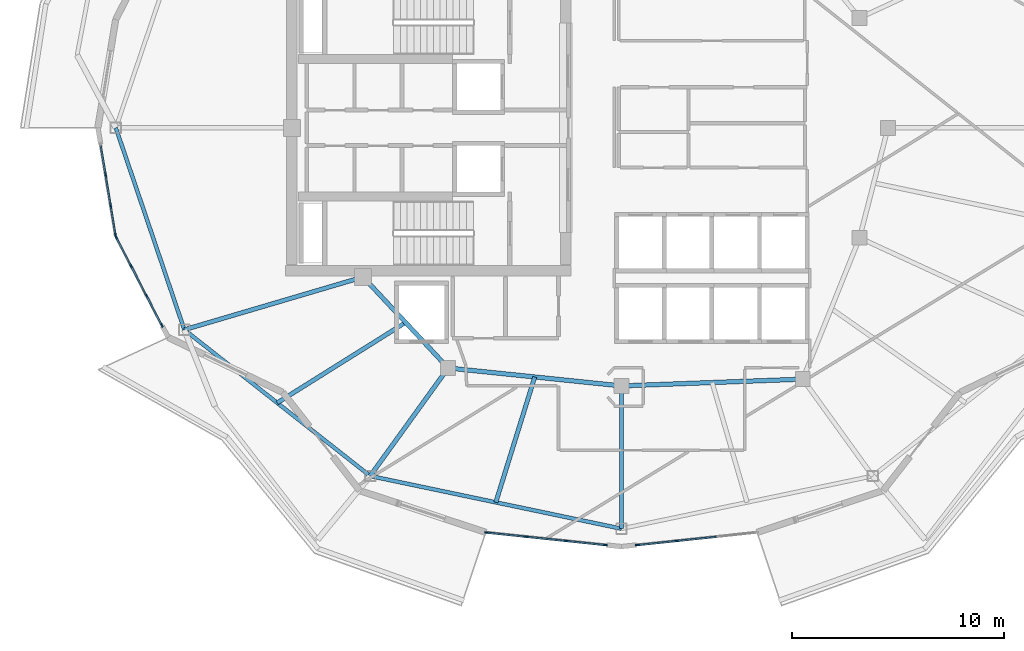
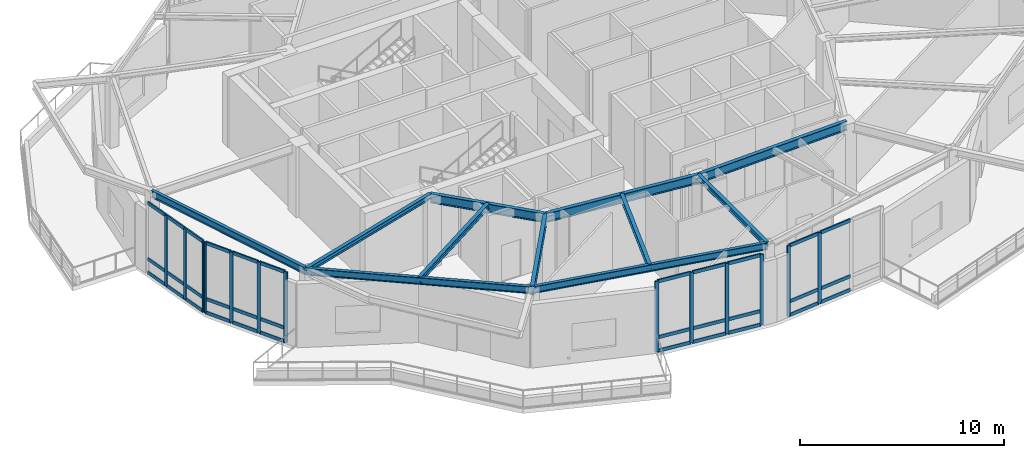
# One storey, part 2 of 15: 46 members, 11 beams, 4 elements without a shape of their own.
"""IFC4 building model written with IfcOpenShell, lengths in metres."""

from ifc_helpers import new_model, si_unit, direction, frame, origin, origin_2d, place, context, subcontext, project, spatial, rectangle, i_section, extrude, material, layer, layer_set, material_profile, profile_set, type_object, element, aggregate, save


model = new_model("IFC4")

# Units and contexts
model_context = context("Model", 3, precision=1e-05, world=origin(), true_north=direction((0.0, 1.0)))
body_context = subcontext(model_context, "Body", "Model", "MODEL_VIEW")
ifc_project = project(units=[si_unit("LENGTHUNIT", "METRE"), si_unit("AREAUNIT", "SQUARE_METRE"), si_unit("VOLUMEUNIT", "CUBIC_METRE"), si_unit("PLANEANGLEUNIT", "RADIAN"), si_unit("MASSUNIT", "GRAM", prefix="KILO")], contexts=[model_context])

# Site, building, storey
site_placement = place(None, origin())
site = spatial("IfcSite", under=ifc_project, at=site_placement, CompositionType="ELEMENT")
building_placement = place(site_placement, origin())
building = spatial("IfcBuilding", under=site, at=building_placement, Name="Kolvaren Gate Tower and Convention Centre", CompositionType="ELEMENT")
storey_placement = place(building_placement, frame((0.0, 0.0, 191.89990234375)))
storey = spatial("IfcBuildingStorey", under=building, at=storey_placement, Name="L50", CompositionType="ELEMENT", Elevation=191.89990234375)

# Curtain wall, members
ifc_material_1 = material(Name="Anodized Architectural Aluminium Alloy 6063-T6", Category="aluminium")
ifc_layer = layer(ifc_material_1, 0.199951171875)
ifc_layer_set = layer_set([ifc_layer], Name="Anodized Architectural Aluminium Alloy 6063-T6")
curtain_wall_type = type_object("IfcCurtainWallType", Name="CW-SKY-GLZ", PredefinedType="NOTDEFINED", material=ifc_layer_set)
curtain_wall_1_placement = place(storey_placement, origin())
curtain_wall_1 = element("IfcCurtainWall", 1, at=curtain_wall_1_placement, inside=storey, type_object=curtain_wall_type, Name="L50 Panoramic Structural Curtain Wall CW-12", PredefinedType="NOTDEFINED")
ifc_material_profile_1 = material_profile(ifc_material_1, rectangle(XDim=0.074951171875, YDim=0.199951171875, at=origin_2d()), Name="CW-MEM-MUL-200")
ifc_profile_set_1 = profile_set([ifc_material_profile_1], Name="Anodized Architectural Aluminium Alloy 6063-T6")
member_type_1 = type_object("IfcMemberType", Name="CW-MEM-MUL-200", PredefinedType="MULLION", material=ifc_profile_set_1)
member_1_placement = place(storey_placement, frame((5.740234375, 24.780029296875, 0.0), z_axis=(0.0, 0.0, 1.0), x_axis=(0.98672790277, 0.162382406357, 0.0)))
member_1 = element("IfcMember", 2, at=member_1_placement, type_object=member_type_1, Name="CW-05 mullion 2", PredefinedType="MULLION", context=body_context, shape_type="SweptSolid", body=[
    extrude(rectangle(XDim=0.074951171875, YDim=0.199951171875, at=origin_2d()), origin(), (0.0, 0.0, 1.0), 4.22998046875),
])
member_2_placement = place(storey_placement, frame((5.979248046875, 23.32763671875, 0.0), z_axis=(0.0, 0.0, 1.0), x_axis=(0.98672790277, 0.162382406357, 0.0)))
member_2 = element("IfcMember", 3, at=member_2_placement, type_object=member_type_1, Name="CW-05 mullion 3", PredefinedType="MULLION", context=body_context, shape_type="SweptSolid", body=[
    extrude(rectangle(XDim=0.074951171875, YDim=0.199951171875, at=origin_2d()), origin(), (0.0, 0.0, 1.0), 4.22998046875),
])
member_3_placement = place(storey_placement, frame((6.212158203125, 21.912353515625, 0.0), z_axis=(0.0, 0.0, 1.0), x_axis=(0.98672790277, 0.162382406357, 0.0)))
member_3 = element("IfcMember", 4, at=member_3_placement, type_object=member_type_1, Name="CW-05 mullion 4", PredefinedType="MULLION", context=body_context, shape_type="SweptSolid", body=[
    extrude(rectangle(XDim=0.074951171875, YDim=0.199951171875, at=origin_2d()), origin(), (0.0, 0.0, 1.0), 4.22998046875),
])

curtain_wall_2_placement = place(storey_placement, origin())
curtain_wall_2 = element("IfcCurtainWall", 5, at=curtain_wall_2_placement, inside=storey, type_object=curtain_wall_type, Name="L50 Panoramic Structural Curtain Wall CW-13", PredefinedType="NOTDEFINED")
member_4_placement = place(storey_placement, frame((6.235595703125, 21.842041015625, 0.0), z_axis=(0.0, 0.0, 1.0), x_axis=(0.88802311111, 0.459798819197, 0.0)))
member_4 = element("IfcMember", 6, at=member_4_placement, type_object=member_type_1, Name="CW-05 mullion 1", PredefinedType="MULLION", context=body_context, shape_type="SweptSolid", body=[
    extrude(rectangle(XDim=0.074951171875, YDim=0.199951171875, at=origin_2d()), origin(), (0.0, 0.0, 1.0), 4.22998046875),
])
member_5_placement = place(storey_placement, frame((6.9501953125, 20.461669921875, 0.0), z_axis=(0.0, 0.0, 1.0), x_axis=(0.88802311111, 0.459798819197, 0.0)))
member_5 = element("IfcMember", 7, at=member_5_placement, type_object=member_type_1, Name="CW-05 mullion 2", PredefinedType="MULLION", context=body_context, shape_type="SweptSolid", body=[
    extrude(rectangle(XDim=0.074951171875, YDim=0.199951171875, at=origin_2d()), origin(), (0.0, 0.0, 1.0), 4.22998046875),
])
member_6_placement = place(storey_placement, frame((7.682373046875, 19.0478515625, 0.0), z_axis=(0.0, 0.0, 1.0), x_axis=(0.88802311111, 0.459798819197, 0.0)))
member_6 = element("IfcMember", 8, at=member_6_placement, type_object=member_type_1, Name="CW-05 mullion 3", PredefinedType="MULLION", context=body_context, shape_type="SweptSolid", body=[
    extrude(rectangle(XDim=0.074951171875, YDim=0.199951171875, at=origin_2d()), origin(), (0.0, 0.0, 1.0), 4.22998046875),
])
member_7_placement = place(storey_placement, frame((8.39697265625, 17.66748046875, 0.0), z_axis=(0.0, 0.0, 1.0), x_axis=(0.88802311111, 0.459798819197, 0.0)))
member_7 = element("IfcMember", 9, at=member_7_placement, type_object=member_type_1, Name="CW-05 mullion 4", PredefinedType="MULLION", context=body_context, shape_type="SweptSolid", body=[
    extrude(rectangle(XDim=0.074951171875, YDim=0.199951171875, at=origin_2d()), origin(), (0.0, 0.0, 1.0), 4.22998046875),
])

curtain_wall_3_placement = place(storey_placement, origin())
curtain_wall_3 = element("IfcCurtainWall", 10, at=curtain_wall_3_placement, inside=storey, type_object=curtain_wall_type, Name="L50 Panoramic Structural Curtain Wall CW-17", PredefinedType="NOTDEFINED")
member_8_placement = place(storey_placement, frame((23.756591796875, 7.870849609375, 0.0), z_axis=(0.0, 0.0, 1.0), x_axis=(0.104744020147, 0.994499215808, 0.0)))
member_8 = element("IfcMember", 11, at=member_8_placement, type_object=member_type_1, Name="CW-05 mullion 1", PredefinedType="MULLION", context=body_context, shape_type="SweptSolid", body=[
    extrude(rectangle(XDim=0.074951171875, YDim=0.199951171875, at=origin_2d()), origin(), (0.0, 0.0, 1.0), 4.22998046875),
])
member_9_placement = place(storey_placement, frame((25.61279296875, 7.67529296875, 0.0), z_axis=(0.0, 0.0, 1.0), x_axis=(0.104744020147, 0.994499215808, 0.0)))
member_9 = element("IfcMember", 12, at=member_9_placement, type_object=member_type_1, Name="CW-05 mullion 2", PredefinedType="MULLION", context=body_context, shape_type="SweptSolid", body=[
    extrude(rectangle(XDim=0.074951171875, YDim=0.199951171875, at=origin_2d()), origin(), (0.0, 0.0, 1.0), 4.22998046875),
])
member_10_placement = place(storey_placement, frame((27.50634765625, 7.475830078125, 0.0), z_axis=(0.0, 0.0, 1.0), x_axis=(0.104744020147, 0.994499215808, 0.0)))
member_10 = element("IfcMember", 13, at=member_10_placement, type_object=member_type_1, Name="CW-05 mullion 3", PredefinedType="MULLION", context=body_context, shape_type="SweptSolid", body=[
    extrude(rectangle(XDim=0.074951171875, YDim=0.199951171875, at=origin_2d()), origin(), (0.0, 0.0, 1.0), 4.22998046875),
])
member_11_placement = place(storey_placement, frame((29.362548828125, 7.2802734375, 0.0), z_axis=(0.0, 0.0, 1.0), x_axis=(0.104744020147, 0.994499215808, 0.0)))
member_11 = element("IfcMember", 14, at=member_11_placement, type_object=member_type_1, Name="CW-05 mullion 4", PredefinedType="MULLION", context=body_context, shape_type="SweptSolid", body=[
    extrude(rectangle(XDim=0.074951171875, YDim=0.199951171875, at=origin_2d()), origin(), (0.0, 0.0, 1.0), 4.22998046875),
])

curtain_wall_4_placement = place(storey_placement, origin())
curtain_wall_4 = element("IfcCurtainWall", 15, at=curtain_wall_4_placement, inside=storey, type_object=curtain_wall_type, Name="L50 Panoramic Structural Curtain Wall CW-18", PredefinedType="NOTDEFINED")
member_12_placement = place(storey_placement, frame((30.88720703125, 7.2802734375, 0.0), z_axis=(0.0, 0.0, 1.0), x_axis=(-0.104740372947, 0.994499599937, 0.0)))
member_12 = element("IfcMember", 16, at=member_12_placement, type_object=member_type_1, Name="CW-05 mullion 1", PredefinedType="MULLION", context=body_context, shape_type="SweptSolid", body=[
    extrude(rectangle(XDim=0.074951171875, YDim=0.199951171875, at=origin_2d()), origin(), (0.0, 0.0, 1.0), 4.22998046875),
])
member_13_placement = place(storey_placement, frame((32.74365234375, 7.475830078125, 0.0), z_axis=(0.0, 0.0, 1.0), x_axis=(-0.104740372947, 0.994499599937, 0.0)))
member_13 = element("IfcMember", 17, at=member_13_placement, type_object=member_type_1, Name="CW-05 mullion 2", PredefinedType="MULLION", context=body_context, shape_type="SweptSolid", body=[
    extrude(rectangle(XDim=0.074951171875, YDim=0.199951171875, at=origin_2d()), origin(), (0.0, 0.0, 1.0), 4.22998046875),
])

# Member
ifc_material_profile_2 = material_profile(ifc_material_1, rectangle(XDim=0.074951171875, YDim=0.199951171875, at=origin_2d()), Name="CW-MEM-TRN-200")
ifc_profile_set_2 = profile_set([ifc_material_profile_2], Name="Anodized Architectural Aluminium Alloy 6063-T6")
member_type_2 = type_object("IfcMemberType", Name="CW-MEM-TRN-200", PredefinedType="USERDEFINED", material=ifc_profile_set_2)
member_14_placement = place(storey_placement, frame((5.513427734375, 26.158203125, 0.03759765625), z_axis=(0.162359914443, -0.986731603924, 0.0), x_axis=(0.986731603924, 0.162359914443, 0.0)))
member_14 = element("IfcMember", 18, at=member_14_placement, type_object=member_type_2, Name="CW-05 transom 1.1", ObjectType="TRANSOM", PredefinedType="USERDEFINED", context=body_context, shape_type="SweptSolid", body=[
    extrude(rectangle(XDim=0.074951171875, YDim=0.199951171875, at=origin_2d()), origin(), (0.0, 0.0, 1.0), 1.359375),
])

member_15_placement = place(storey_placement, frame((5.513427734375, 26.158203125, 0.85009765625), z_axis=(0.162359914443, -0.986731603924, 0.0), x_axis=(0.986731603924, 0.162359914443, 0.0)))
member_15 = element("IfcMember", 19, at=member_15_placement, type_object=member_type_2, Name="CW-05 transom 1.2", ObjectType="TRANSOM", PredefinedType="USERDEFINED", context=body_context, shape_type="SweptSolid", body=[
    extrude(rectangle(XDim=0.074951171875, YDim=0.199951171875, at=origin_2d()), origin(), (0.0, 0.0, 1.0), 1.359375),
])

member_16_placement = place(storey_placement, frame((5.513427734375, 26.158203125, 4.192626953125), z_axis=(0.162359914443, -0.986731603924, 0.0), x_axis=(0.986731603924, 0.162359914443, 0.0)))
member_16 = element("IfcMember", 20, at=member_16_placement, type_object=member_type_2, Name="CW-05 transom 1.3", ObjectType="TRANSOM", PredefinedType="USERDEFINED", context=body_context, shape_type="SweptSolid", body=[
    extrude(rectangle(XDim=0.074951171875, YDim=0.199951171875, at=origin_2d()), origin(), (0.0, 0.0, 1.0), 1.359375),
])

member_17_placement = place(storey_placement, frame((5.746337890625, 24.742919921875, 0.03759765625), z_axis=(0.162386121124, -0.986727291437, 0.0), x_axis=(0.986727291437, 0.162386121124, 0.0)))
member_17 = element("IfcMember", 21, at=member_17_placement, type_object=member_type_2, Name="CW-05 transom 2.1", ObjectType="TRANSOM", PredefinedType="USERDEFINED", context=body_context, shape_type="SweptSolid", body=[
    extrude(rectangle(XDim=0.074951171875, YDim=0.199951171875, at=origin_2d()), origin(), (0.0, 0.0, 1.0), 1.396728515625),
])

member_18_placement = place(storey_placement, frame((5.746337890625, 24.742919921875, 0.85009765625), z_axis=(0.162386121124, -0.986727291437, 0.0), x_axis=(0.986727291437, 0.162386121124, 0.0)))
member_18 = element("IfcMember", 22, at=member_18_placement, type_object=member_type_2, Name="CW-05 transom 2.2", ObjectType="TRANSOM", PredefinedType="USERDEFINED", context=body_context, shape_type="SweptSolid", body=[
    extrude(rectangle(XDim=0.074951171875, YDim=0.199951171875, at=origin_2d()), origin(), (0.0, 0.0, 1.0), 1.396728515625),
])

member_19_placement = place(storey_placement, frame((5.746337890625, 24.742919921875, 4.192626953125), z_axis=(0.162386121124, -0.986727291437, 0.0), x_axis=(0.986727291437, 0.162386121124, 0.0)))
member_19 = element("IfcMember", 23, at=member_19_placement, type_object=member_type_2, Name="CW-05 transom 2.3", ObjectType="TRANSOM", PredefinedType="USERDEFINED", context=body_context, shape_type="SweptSolid", body=[
    extrude(rectangle(XDim=0.074951171875, YDim=0.199951171875, at=origin_2d()), origin(), (0.0, 0.0, 1.0), 1.396728515625),
])

member_20_placement = place(storey_placement, frame((5.9853515625, 23.290771484375, 0.03759765625), z_axis=(0.162359914443, -0.986731603924, 0.0), x_axis=(0.986731603924, 0.162359914443, 0.0)))
member_20 = element("IfcMember", 24, at=member_20_placement, type_object=member_type_2, Name="CW-05 transom 3.1", ObjectType="TRANSOM", PredefinedType="USERDEFINED", context=body_context, shape_type="SweptSolid", body=[
    extrude(rectangle(XDim=0.074951171875, YDim=0.199951171875, at=origin_2d()), origin(), (0.0, 0.0, 1.0), 1.359375),
])

member_21_placement = place(storey_placement, frame((5.9853515625, 23.290771484375, 0.85009765625), z_axis=(0.162359914443, -0.986731603924, 0.0), x_axis=(0.986731603924, 0.162359914443, 0.0)))
member_21 = element("IfcMember", 25, at=member_21_placement, type_object=member_type_2, Name="CW-05 transom 3.2", ObjectType="TRANSOM", PredefinedType="USERDEFINED", context=body_context, shape_type="SweptSolid", body=[
    extrude(rectangle(XDim=0.074951171875, YDim=0.199951171875, at=origin_2d()), origin(), (0.0, 0.0, 1.0), 1.359375),
])

member_22_placement = place(storey_placement, frame((5.9853515625, 23.290771484375, 4.192626953125), z_axis=(0.162359914443, -0.986731603924, 0.0), x_axis=(0.986731603924, 0.162359914443, 0.0)))
member_22 = element("IfcMember", 26, at=member_22_placement, type_object=member_type_2, Name="CW-05 transom 3.3", ObjectType="TRANSOM", PredefinedType="USERDEFINED", context=body_context, shape_type="SweptSolid", body=[
    extrude(rectangle(XDim=0.074951171875, YDim=0.199951171875, at=origin_2d()), origin(), (0.0, 0.0, 1.0), 1.359375),
])

aggregate(curtain_wall_1, [member_1, member_2, member_3, member_14, member_15, member_16, member_17, member_18, member_19, member_20, member_21, member_22])

member_23_placement = place(storey_placement, frame((6.252685546875, 21.808837890625, 0.03759765625), z_axis=(0.459840307894, -0.888001627947, 0.0), x_axis=(0.888001627947, 0.459840307894, 0.0)))
member_23 = element("IfcMember", 27, at=member_23_placement, type_object=member_type_2, Name="CW-05 transom 1.1", ObjectType="TRANSOM", PredefinedType="USERDEFINED", context=body_context, shape_type="SweptSolid", body=[
    extrude(rectangle(XDim=0.074951171875, YDim=0.199951171875, at=origin_2d()), origin(), (0.0, 0.0, 1.0), 1.479736328125),
])

member_24_placement = place(storey_placement, frame((6.252685546875, 21.808837890625, 0.85009765625), z_axis=(0.459840307894, -0.888001627947, 0.0), x_axis=(0.888001627947, 0.459840307894, 0.0)))
member_24 = element("IfcMember", 28, at=member_24_placement, type_object=member_type_2, Name="CW-05 transom 1.2", ObjectType="TRANSOM", PredefinedType="USERDEFINED", context=body_context, shape_type="SweptSolid", body=[
    extrude(rectangle(XDim=0.074951171875, YDim=0.199951171875, at=origin_2d()), origin(), (0.0, 0.0, 1.0), 1.479736328125),
])

member_25_placement = place(storey_placement, frame((6.252685546875, 21.808837890625, 4.192626953125), z_axis=(0.459840307894, -0.888001627947, 0.0), x_axis=(0.888001627947, 0.459840307894, 0.0)))
member_25 = element("IfcMember", 29, at=member_25_placement, type_object=member_type_2, Name="CW-05 transom 1.3", ObjectType="TRANSOM", PredefinedType="USERDEFINED", context=body_context, shape_type="SweptSolid", body=[
    extrude(rectangle(XDim=0.074951171875, YDim=0.199951171875, at=origin_2d()), origin(), (0.0, 0.0, 1.0), 1.479736328125),
])

member_26_placement = place(storey_placement, frame((6.967529296875, 20.428466796875, 0.03759765625), z_axis=(0.459786263452, -0.888029612086, 0.0), x_axis=(0.888029612086, 0.459786263452, 0.0)))
member_26 = element("IfcMember", 30, at=member_26_placement, type_object=member_type_2, Name="CW-05 transom 2.1", ObjectType="TRANSOM", PredefinedType="USERDEFINED", context=body_context, shape_type="SweptSolid", body=[
    extrude(rectangle(XDim=0.074951171875, YDim=0.199951171875, at=origin_2d()), origin(), (0.0, 0.0, 1.0), 1.51708984375),
])

member_27_placement = place(storey_placement, frame((6.967529296875, 20.428466796875, 0.85009765625), z_axis=(0.459786263452, -0.888029612086, 0.0), x_axis=(0.888029612086, 0.459786263452, 0.0)))
member_27 = element("IfcMember", 31, at=member_27_placement, type_object=member_type_2, Name="CW-05 transom 2.2", ObjectType="TRANSOM", PredefinedType="USERDEFINED", context=body_context, shape_type="SweptSolid", body=[
    extrude(rectangle(XDim=0.074951171875, YDim=0.199951171875, at=origin_2d()), origin(), (0.0, 0.0, 1.0), 1.51708984375),
])

member_28_placement = place(storey_placement, frame((6.967529296875, 20.428466796875, 4.192626953125), z_axis=(0.459786263452, -0.888029612086, 0.0), x_axis=(0.888029612086, 0.459786263452, 0.0)))
member_28 = element("IfcMember", 32, at=member_28_placement, type_object=member_type_2, Name="CW-05 transom 2.3", ObjectType="TRANSOM", PredefinedType="USERDEFINED", context=body_context, shape_type="SweptSolid", body=[
    extrude(rectangle(XDim=0.074951171875, YDim=0.199951171875, at=origin_2d()), origin(), (0.0, 0.0, 1.0), 1.51708984375),
])

member_29_placement = place(storey_placement, frame((7.699462890625, 19.0146484375, 0.03759765625), z_axis=(0.459840307894, -0.888001627947, 0.0), x_axis=(0.888001627947, 0.459840307894, 0.0)))
member_29 = element("IfcMember", 33, at=member_29_placement, type_object=member_type_2, Name="CW-05 transom 3.1", ObjectType="TRANSOM", PredefinedType="USERDEFINED", context=body_context, shape_type="SweptSolid", body=[
    extrude(rectangle(XDim=0.074951171875, YDim=0.199951171875, at=origin_2d()), origin(), (0.0, 0.0, 1.0), 1.479736328125),
])

member_30_placement = place(storey_placement, frame((7.699462890625, 19.0146484375, 0.85009765625), z_axis=(0.459840307894, -0.888001627947, 0.0), x_axis=(0.888001627947, 0.459840307894, 0.0)))
member_30 = element("IfcMember", 34, at=member_30_placement, type_object=member_type_2, Name="CW-05 transom 3.2", ObjectType="TRANSOM", PredefinedType="USERDEFINED", context=body_context, shape_type="SweptSolid", body=[
    extrude(rectangle(XDim=0.074951171875, YDim=0.199951171875, at=origin_2d()), origin(), (0.0, 0.0, 1.0), 1.479736328125),
])

member_31_placement = place(storey_placement, frame((7.699462890625, 19.0146484375, 4.192626953125), z_axis=(0.459840307894, -0.888001627947, 0.0), x_axis=(0.888001627947, 0.459840307894, 0.0)))
member_31 = element("IfcMember", 35, at=member_31_placement, type_object=member_type_2, Name="CW-05 transom 3.3", ObjectType="TRANSOM", PredefinedType="USERDEFINED", context=body_context, shape_type="SweptSolid", body=[
    extrude(rectangle(XDim=0.074951171875, YDim=0.199951171875, at=origin_2d()), origin(), (0.0, 0.0, 1.0), 1.479736328125),
])

aggregate(curtain_wall_2, [member_4, member_5, member_6, member_7, member_23, member_24, member_25, member_26, member_27, member_28, member_29, member_30, member_31])

member_32_placement = place(storey_placement, frame((23.793701171875, 7.866943359375, 0.03759765625), z_axis=(0.994494247003, -0.104791186071, 0.0), x_axis=(0.104791186071, 0.994494247003, 0.0)))
member_32 = element("IfcMember", 36, at=member_32_placement, type_object=member_type_2, Name="CW-05 transom 1.1", ObjectType="TRANSOM", PredefinedType="USERDEFINED", context=body_context, shape_type="SweptSolid", body=[
    extrude(rectangle(XDim=0.074951171875, YDim=0.199951171875, at=origin_2d()), origin(), (0.0, 0.0, 1.0), 1.79150390625),
])

member_33_placement = place(storey_placement, frame((23.793701171875, 7.866943359375, 0.85009765625), z_axis=(0.994494247003, -0.104791186071, 0.0), x_axis=(0.104791186071, 0.994494247003, 0.0)))
member_33 = element("IfcMember", 37, at=member_33_placement, type_object=member_type_2, Name="CW-05 transom 1.2", ObjectType="TRANSOM", PredefinedType="USERDEFINED", context=body_context, shape_type="SweptSolid", body=[
    extrude(rectangle(XDim=0.074951171875, YDim=0.199951171875, at=origin_2d()), origin(), (0.0, 0.0, 1.0), 1.79150390625),
])

member_34_placement = place(storey_placement, frame((23.793701171875, 7.866943359375, 4.192626953125), z_axis=(0.994494247003, -0.104791186071, 0.0), x_axis=(0.104791186071, 0.994494247003, 0.0)))
member_34 = element("IfcMember", 38, at=member_34_placement, type_object=member_type_2, Name="CW-05 transom 1.3", ObjectType="TRANSOM", PredefinedType="USERDEFINED", context=body_context, shape_type="SweptSolid", body=[
    extrude(rectangle(XDim=0.074951171875, YDim=0.199951171875, at=origin_2d()), origin(), (0.0, 0.0, 1.0), 1.79150390625),
])

member_35_placement = place(storey_placement, frame((25.650146484375, 7.67138671875, 0.03759765625), z_axis=(0.994494475745, -0.10478901523, 0.0), x_axis=(0.10478901523, 0.994494475745, 0.0)))
member_35 = element("IfcMember", 39, at=member_35_placement, type_object=member_type_2, Name="CW-05 transom 2.1", ObjectType="TRANSOM", PredefinedType="USERDEFINED", context=body_context, shape_type="SweptSolid", body=[
    extrude(rectangle(XDim=0.074951171875, YDim=0.199951171875, at=origin_2d()), origin(), (0.0, 0.0, 1.0), 1.828857421875),
])

member_36_placement = place(storey_placement, frame((25.650146484375, 7.67138671875, 0.85009765625), z_axis=(0.994494475745, -0.10478901523, 0.0), x_axis=(0.10478901523, 0.994494475745, 0.0)))
member_36 = element("IfcMember", 40, at=member_36_placement, type_object=member_type_2, Name="CW-05 transom 2.2", ObjectType="TRANSOM", PredefinedType="USERDEFINED", context=body_context, shape_type="SweptSolid", body=[
    extrude(rectangle(XDim=0.074951171875, YDim=0.199951171875, at=origin_2d()), origin(), (0.0, 0.0, 1.0), 1.828857421875),
])

member_37_placement = place(storey_placement, frame((25.650146484375, 7.67138671875, 4.192626953125), z_axis=(0.994494475745, -0.10478901523, 0.0), x_axis=(0.10478901523, 0.994494475745, 0.0)))
member_37 = element("IfcMember", 41, at=member_37_placement, type_object=member_type_2, Name="CW-05 transom 2.3", ObjectType="TRANSOM", PredefinedType="USERDEFINED", context=body_context, shape_type="SweptSolid", body=[
    extrude(rectangle(XDim=0.074951171875, YDim=0.199951171875, at=origin_2d()), origin(), (0.0, 0.0, 1.0), 1.828857421875),
])

member_38_placement = place(storey_placement, frame((27.54345703125, 7.471923828125, 0.03759765625), z_axis=(0.994494247003, -0.104791186071, 0.0), x_axis=(0.104791186071, 0.994494247003, 0.0)))
member_38 = element("IfcMember", 42, at=member_38_placement, type_object=member_type_2, Name="CW-05 transom 3.1", ObjectType="TRANSOM", PredefinedType="USERDEFINED", context=body_context, shape_type="SweptSolid", body=[
    extrude(rectangle(XDim=0.074951171875, YDim=0.199951171875, at=origin_2d()), origin(), (0.0, 0.0, 1.0), 1.79150390625),
])

member_39_placement = place(storey_placement, frame((27.54345703125, 7.471923828125, 0.85009765625), z_axis=(0.994494247003, -0.104791186071, 0.0), x_axis=(0.104791186071, 0.994494247003, 0.0)))
member_39 = element("IfcMember", 43, at=member_39_placement, type_object=member_type_2, Name="CW-05 transom 3.2", ObjectType="TRANSOM", PredefinedType="USERDEFINED", context=body_context, shape_type="SweptSolid", body=[
    extrude(rectangle(XDim=0.074951171875, YDim=0.199951171875, at=origin_2d()), origin(), (0.0, 0.0, 1.0), 1.79150390625),
])

member_40_placement = place(storey_placement, frame((27.54345703125, 7.471923828125, 4.192626953125), z_axis=(0.994494247003, -0.104791186071, 0.0), x_axis=(0.104791186071, 0.994494247003, 0.0)))
member_40 = element("IfcMember", 44, at=member_40_placement, type_object=member_type_2, Name="CW-05 transom 3.3", ObjectType="TRANSOM", PredefinedType="USERDEFINED", context=body_context, shape_type="SweptSolid", body=[
    extrude(rectangle(XDim=0.074951171875, YDim=0.199951171875, at=origin_2d()), origin(), (0.0, 0.0, 1.0), 1.79150390625),
])

aggregate(curtain_wall_3, [member_8, member_9, member_10, member_11, member_32, member_33, member_34, member_35, member_36, member_37, member_38, member_39, member_40])

member_41_placement = place(storey_placement, frame((30.924560546875, 7.2841796875, 0.03759765625), z_axis=(0.994494247003, 0.104791186071, 0.0), x_axis=(-0.104791186071, 0.994494247003, 0.0)))
member_41 = element("IfcMember", 45, at=member_41_placement, type_object=member_type_2, Name="CW-05 transom 1.1", ObjectType="TRANSOM", PredefinedType="USERDEFINED", context=body_context, shape_type="SweptSolid", body=[
    extrude(rectangle(XDim=0.074951171875, YDim=0.199951171875, at=origin_2d()), origin(), (0.0, 0.0, 1.0), 1.79150390625),
])

member_42_placement = place(storey_placement, frame((30.924560546875, 7.2841796875, 0.85009765625), z_axis=(0.994494247003, 0.104791186071, 0.0), x_axis=(-0.104791186071, 0.994494247003, 0.0)))
member_42 = element("IfcMember", 46, at=member_42_placement, type_object=member_type_2, Name="CW-05 transom 1.2", ObjectType="TRANSOM", PredefinedType="USERDEFINED", context=body_context, shape_type="SweptSolid", body=[
    extrude(rectangle(XDim=0.074951171875, YDim=0.199951171875, at=origin_2d()), origin(), (0.0, 0.0, 1.0), 1.79150390625),
])

member_43_placement = place(storey_placement, frame((30.924560546875, 7.2841796875, 4.192626953125), z_axis=(0.994494247003, 0.104791186071, 0.0), x_axis=(-0.104791186071, 0.994494247003, 0.0)))
member_43 = element("IfcMember", 47, at=member_43_placement, type_object=member_type_2, Name="CW-05 transom 1.3", ObjectType="TRANSOM", PredefinedType="USERDEFINED", context=body_context, shape_type="SweptSolid", body=[
    extrude(rectangle(XDim=0.074951171875, YDim=0.199951171875, at=origin_2d()), origin(), (0.0, 0.0, 1.0), 1.79150390625),
])

member_44_placement = place(storey_placement, frame((32.781005859375, 7.479736328125, 0.03759765625), z_axis=(0.994494475745, 0.10478901523, 0.0), x_axis=(-0.10478901523, 0.994494475745, 0.0)))
member_44 = element("IfcMember", 48, at=member_44_placement, type_object=member_type_2, Name="CW-05 transom 2.1", ObjectType="TRANSOM", PredefinedType="USERDEFINED", context=body_context, shape_type="SweptSolid", body=[
    extrude(rectangle(XDim=0.074951171875, YDim=0.199951171875, at=origin_2d()), origin(), (0.0, 0.0, 1.0), 1.828857421875),
])

member_45_placement = place(storey_placement, frame((32.781005859375, 7.479736328125, 0.85009765625), z_axis=(0.994494475745, 0.10478901523, 0.0), x_axis=(-0.10478901523, 0.994494475745, 0.0)))
member_45 = element("IfcMember", 49, at=member_45_placement, type_object=member_type_2, Name="CW-05 transom 2.2", ObjectType="TRANSOM", PredefinedType="USERDEFINED", context=body_context, shape_type="SweptSolid", body=[
    extrude(rectangle(XDim=0.074951171875, YDim=0.199951171875, at=origin_2d()), origin(), (0.0, 0.0, 1.0), 1.828857421875),
])

member_46_placement = place(storey_placement, frame((32.781005859375, 7.479736328125, 4.192626953125), z_axis=(0.994494475745, 0.10478901523, 0.0), x_axis=(-0.10478901523, 0.994494475745, 0.0)))
member_46 = element("IfcMember", 50, at=member_46_placement, type_object=member_type_2, Name="CW-05 transom 2.3", ObjectType="TRANSOM", PredefinedType="USERDEFINED", context=body_context, shape_type="SweptSolid", body=[
    extrude(rectangle(XDim=0.074951171875, YDim=0.199951171875, at=origin_2d()), origin(), (0.0, 0.0, 1.0), 1.828857421875),
])

aggregate(curtain_wall_4, [member_12, member_13, member_41, member_42, member_43, member_44, member_45, member_46])

# Beams
ifc_material_2 = material(Name="Structural steel ASTM A992 Grade 345 MPa", Category="steel")
ifc_material_profile_3 = material_profile(ifc_material_2, i_section(OverallWidth=0.2119140625, OverallDepth=0.5439453125, WebThickness=0.01318359375, FlangeThickness=0.021240234375, at=origin_2d()), Name="W530X123")
ifc_profile_set_3 = profile_set([ifc_material_profile_3], Name="Structural steel ASTM A992 Grade 345 MPa")
beam_type_1 = type_object("IfcBeamType", Name="STR-BM-W530X123", PredefinedType="BEAM", material=ifc_profile_set_3)
beam_1_placement = place(storey_placement, frame((17.9140625, 19.949951171875, 3.9580078125), z_axis=(0.682557592987, -0.730831808459, 0.0), x_axis=(0.730831808459, 0.682557592987, 0.0)))
element("IfcBeam", 51, at=beam_1_placement, inside=storey, type_object=beam_type_1, Name="Tower L50 Primary Ring Girder G-06", PredefinedType="BEAM", context=body_context, shape_type="SweptSolid", body=[
    extrude(i_section(OverallWidth=0.2119140625, OverallDepth=0.5439453125, WebThickness=0.01318359375, FlangeThickness=0.021240234375, at=origin_2d()), origin(), (0.0, 0.0, 1.0), 5.88671875),
])
beam_2_placement = place(storey_placement, frame((21.93212890625, 15.647705078125, 3.9580078125), z_axis=(0.994690329115, -0.102913308978, 0.0), x_axis=(0.102913308978, 0.994690329115, 0.0)))
element("IfcBeam", 52, at=beam_2_placement, inside=storey, type_object=beam_type_1, Name="Tower L50 Primary Ring Girder G-07", PredefinedType="BEAM", context=body_context, shape_type="SweptSolid", body=[
    extrude(i_section(OverallWidth=0.2119140625, OverallDepth=0.5439453125, WebThickness=0.01318359375, FlangeThickness=0.021240234375, at=origin_2d()), origin(), (0.0, 0.0, 1.0), 8.236572265625),
])
beam_3_placement = place(storey_placement, frame((30.125, 14.800048828125, 3.9580078125), z_axis=(0.999301712453, 0.037364254142, 0.0), x_axis=(-0.037364254142, 0.999301712453, 0.0)))
element("IfcBeam", 53, at=beam_3_placement, inside=storey, type_object=beam_type_1, Name="Tower L50 Primary Ring Girder G-08", PredefinedType="BEAM", context=body_context, shape_type="SweptSolid", body=[
    extrude(i_section(OverallWidth=0.2119140625, OverallDepth=0.5439453125, WebThickness=0.01318359375, FlangeThickness=0.021240234375, at=origin_2d()), origin(), (0.0, 0.0, 1.0), 8.579345703125),
])
beam_4_placement = place(storey_placement, frame((21.93212890625, 15.647705078125, 3.9580078125), z_axis=(-0.585214462319, -0.810878556316, 0.0), x_axis=(0.810878556316, -0.585214462319, 0.0)))
element("IfcBeam", 54, at=beam_4_placement, inside=storey, type_object=beam_type_1, Name="Tower L50 Radial Floor Girder RB-09", PredefinedType="BEAM", context=body_context, shape_type="SweptSolid", body=[
    extrude(i_section(OverallWidth=0.2119140625, OverallDepth=0.5439453125, WebThickness=0.01318359375, FlangeThickness=0.021240234375, at=origin_2d()), origin(), (0.0, 0.0, 1.0), 6.296630859375),
])
ifc_material_profile_4 = material_profile(ifc_material_2, i_section(OverallWidth=0.205078125, OverallDepth=0.31005859375, WebThickness=0.009521484375, FlangeThickness=0.016357421875, at=origin_2d()), Name="W310X74")
ifc_profile_set_4 = profile_set([ifc_material_profile_4], Name="Structural steel ASTM A992 Grade 345 MPa")
beam_type_2 = type_object("IfcBeamType", Name="STR-JS-W310X74", PredefinedType="JOIST", material=ifc_profile_set_4)
beam_5_placement = place(storey_placement, frame((17.9140625, 19.949951171875, 4.0751953125), z_axis=(-0.959121165581, -0.28299574155, 0.0), x_axis=(0.28299574155, -0.959121165581, 0.0)))
element("IfcBeam", 55, at=beam_5_placement, inside=storey, type_object=beam_type_2, Name="Tower L50 Radial Floor Girder RB-08", PredefinedType="JOIST", context=body_context, shape_type="SweptSolid", body=[
    extrude(i_section(OverallWidth=0.205078125, OverallDepth=0.31005859375, WebThickness=0.009521484375, FlangeThickness=0.016357421875, at=origin_2d()), origin(), (0.0, 0.0, 1.0), 8.8115234375),
])
beam_6_placement = place(storey_placement, frame((30.125, 14.800048828125, 4.0751953125), z_axis=(0.0, -1.0, 0.0), x_axis=(1.0, 0.0, 0.0)))
element("IfcBeam", 56, at=beam_6_placement, inside=storey, type_object=beam_type_2, Name="Tower L50 Radial Floor Girder RB-10", PredefinedType="JOIST", context=body_context, shape_type="SweptSolid", body=[
    extrude(i_section(OverallWidth=0.205078125, OverallDepth=0.31005859375, WebThickness=0.009521484375, FlangeThickness=0.016357421875, at=origin_2d()), origin(), (0.0, 0.0, 1.0), 6.75),
])
beam_7_placement = place(storey_placement, frame((19.923095703125, 17.798828125, 4.0751953125), z_axis=(-0.847559309278, -0.530700685186, 0.0), x_axis=(0.530700685186, -0.847559309278, 0.0)))
element("IfcBeam", 57, at=beam_7_placement, inside=storey, type_object=beam_type_2, Name="Tower L50 Secondary Composite Floor Joist J-08.1", PredefinedType="JOIST", context=body_context, shape_type="SweptSolid", body=[
    extrude(i_section(OverallWidth=0.205078125, OverallDepth=0.31005859375, WebThickness=0.009521484375, FlangeThickness=0.016357421875, at=origin_2d()), origin(), (0.0, 0.0, 1.0), 7.159423828125),
])
beam_8_placement = place(storey_placement, frame((26.028564453125, 15.223876953125, 4.0751953125), z_axis=(-0.296776485487, -0.954946971126, 0.0), x_axis=(0.954946971126, -0.296776485487, 0.0)))
element("IfcBeam", 58, at=beam_8_placement, inside=storey, type_object=beam_type_2, Name="Tower L50 Secondary Composite Floor Joist J-09.1", PredefinedType="JOIST", context=body_context, shape_type="SweptSolid", body=[
    extrude(i_section(OverallWidth=0.205078125, OverallDepth=0.31005859375, WebThickness=0.009521484375, FlangeThickness=0.016357421875, at=origin_2d()), origin(), (0.0, 0.0, 1.0), 6.207763671875),
])
ifc_material_profile_5 = material_profile(ifc_material_2, i_section(OverallWidth=0.180908203125, OverallDepth=0.4169921875, WebThickness=0.010986328125, FlangeThickness=0.018310546875, at=origin_2d()), Name="W410X85")
ifc_profile_set_5 = profile_set([ifc_material_profile_5], Name="Structural steel ASTM A992 Grade 345 MPa")
beam_type_3 = type_object("IfcBeamType", Name="STR-SP-W410X85", PredefinedType="SPANDREL", material=ifc_profile_set_5)
beam_9_placement = place(storey_placement, frame((6.22509765625, 27.0, 4.021484375), z_axis=(0.321252507379, -0.946993572577, 0.0), x_axis=(0.946993572577, 0.321252507379, 0.0)))
element("IfcBeam", 59, at=beam_9_placement, inside=storey, type_object=beam_type_3, Name="Tower L50 Perimeter Spandrel Beam SP-07", PredefinedType="SPANDREL", context=body_context, shape_type="SweptSolid", body=[
    extrude(i_section(OverallWidth=0.180908203125, OverallDepth=0.4169921875, WebThickness=0.010986328125, FlangeThickness=0.018310546875, at=origin_2d()), origin(), (0.0, 0.0, 1.0), 10.077880859375),
])
beam_10_placement = place(storey_placement, frame((9.462646484375, 17.456298828125, 4.021484375), z_axis=(0.78579365551, -0.618488747643, 0.0), x_axis=(0.618488747643, 0.78579365551, 0.0)))
element("IfcBeam", 60, at=beam_10_placement, inside=storey, type_object=beam_type_3, Name="Tower L50 Perimeter Spandrel Beam SP-08", PredefinedType="SPANDREL", context=body_context, shape_type="SweptSolid", body=[
    extrude(i_section(OverallWidth=0.180908203125, OverallDepth=0.4169921875, WebThickness=0.010986328125, FlangeThickness=0.018310546875, at=origin_2d()), origin(), (0.0, 0.0, 1.0), 11.179443359375),
])
beam_11_placement = place(storey_placement, frame((18.247314453125, 10.5419921875, 4.021484375), z_axis=(0.978692765917, -0.205330148645, 0.0), x_axis=(0.205330148645, 0.978692765917, 0.0)))
element("IfcBeam", 61, at=beam_11_placement, inside=storey, type_object=beam_type_3, Name="Tower L50 Perimeter Spandrel Beam SP-09", PredefinedType="SPANDREL", context=body_context, shape_type="SweptSolid", body=[
    extrude(i_section(OverallWidth=0.180908203125, OverallDepth=0.4169921875, WebThickness=0.010986328125, FlangeThickness=0.018310546875, at=origin_2d()), origin(), (0.0, 0.0, 1.0), 12.13623046875),
])

save(model, "model.ifc")
